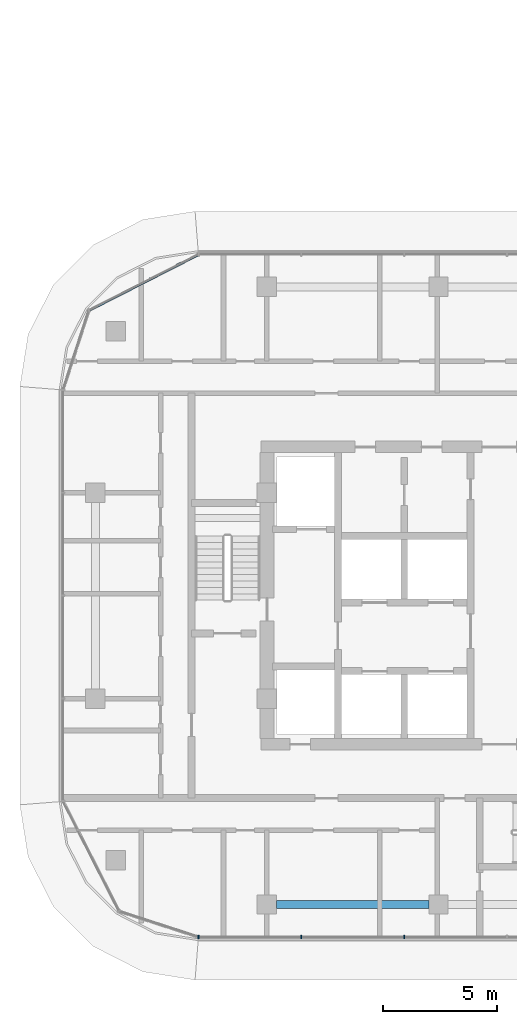
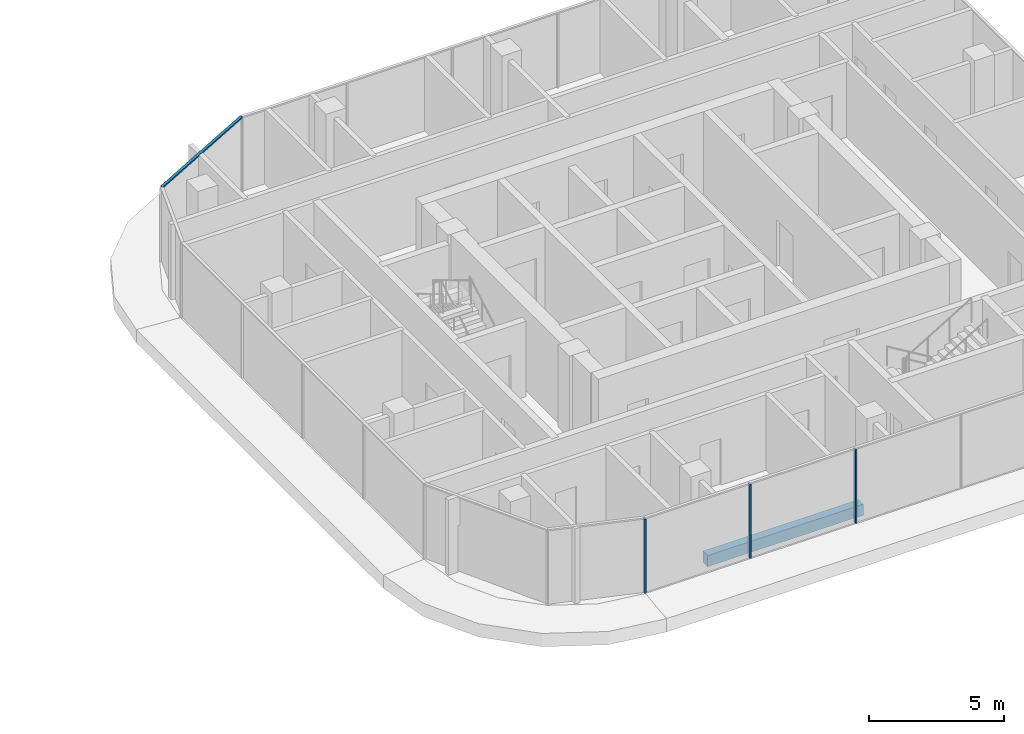
# One storey, part 10 of 36: 4 members, 1 beam, 2 elements without a shape of their own.
"""IFC4 building model written with IfcOpenShell, lengths in metres."""

import ifcopenshell
import ifcopenshell.guid

model = None  # the IFC model being written
_history = None  # IfcOwnerHistory: only IFC2X3 demands one
_inside = {}  # id of a spatial element -> (the spatial element, [elements in it])
_under = {}  # id of a project, library or spatial element -> (it, [spatial elements below it])
_declared = {}  # id of a project -> (the project, [libraries it declares])
_typed = {}  # id of a type object -> (the type object, [elements of that type])
_made_of = {}  # id of a material, layer set ... -> (it, [elements and type objects made of it])


def new_model(schema):
    """Start an empty IFC model of exactly this schema.

    Asked for "IFC4X3", IfcOpenShell would pick the latest addendum, in which some entities
    have other attributes; the version numbers below select the first issue.
    IFC2X3 requires an IfcOwnerHistory on every rooted entity: one is made here for all.
    """
    global model, _history
    if schema == "IFC4X3":
        model = ifcopenshell.file(schema_version=(4, 3, 0, 0))
    else:
        model = ifcopenshell.file(schema=schema)
    _inside.clear()
    _under.clear()
    _declared.clear()
    _typed.clear()
    _made_of.clear()
    _history = None
    if model.schema == "IFC2X3":
        org = make("IfcOrganization", Name="unknown")
        user = make(
            "IfcPersonAndOrganization",
            ThePerson=make("IfcPerson", FamilyName="unknown"),
            TheOrganization=org,
        )
        app = make(
            "IfcApplication",
            ApplicationDeveloper=org,
            Version="unknown",
            ApplicationFullName="unknown",
            ApplicationIdentifier="unknown",
        )
        _history = make(
            "IfcOwnerHistory",
            OwningUser=user,
            OwningApplication=app,
            ChangeAction="ADDED",
            CreationDate=0,
        )
    return model


def make(cls, **values):
    """One entity of the class cls with the attributes given. An attribute that is None is left unset."""
    return model.create_entity(
        cls, **{name: value for name, value in values.items() if value is not None}
    )


def rooted(cls, **values):
    """An entity with a GlobalId (a new one), such as an element, a storey or a relation."""
    return make(cls, GlobalId=ifcopenshell.guid.new(), OwnerHistory=_history, **values)


def si_unit(unit_type, name, prefix=None):
    """IfcSIUnit, for example si_unit("LENGTHUNIT", "METRE", prefix="MILLI")."""
    return make("IfcSIUnit", UnitType=unit_type, Prefix=prefix, Name=name)


def assignment(units):
    """IfcUnitAssignment: the units of a project."""
    return None if units is None else make("IfcUnitAssignment", Units=units)


def point(xyz):
    """IfcCartesianPoint."""
    return None if xyz is None else make("IfcCartesianPoint", Coordinates=xyz)


def direction(xyz):
    """IfcDirection."""
    return None if xyz is None else make("IfcDirection", DirectionRatios=xyz)


def frame(location, z_axis=None, x_axis=None):
    """IfcAxis2Placement3D, a coordinate frame: its origin and axes. An axis left out is left unset."""
    return make(
        "IfcAxis2Placement3D",
        Location=point(location),
        Axis=direction(z_axis),
        RefDirection=direction(x_axis),
    )


def frame_2d(location, x_axis=None):
    """IfcAxis2Placement2D, a coordinate frame in the plane: its origin and x axis."""
    return make(
        "IfcAxis2Placement2D", Location=point(location), RefDirection=direction(x_axis)
    )


def origin():
    """The frame at (0, 0, 0) with its axes left unset."""
    return frame((0.0, 0.0, 0.0))


def origin_2d():
    """The frame at (0, 0) in the plane with its x axis left unset."""
    return frame_2d((0.0, 0.0))


def place(relative_to, where):
    """IfcLocalPlacement: puts the frame where relative to a parent placement (None: the world)."""
    return make(
        "IfcLocalPlacement", PlacementRelTo=relative_to, RelativePlacement=where
    )


def context(
    kind, dimensions, precision=None, world=None, true_north=None, identifier=None
):
    """IfcGeometricRepresentationContext, for example the 3D "Model" context."""
    return make(
        "IfcGeometricRepresentationContext",
        ContextIdentifier=identifier,
        ContextType=kind,
        CoordinateSpaceDimension=dimensions,
        Precision=precision,
        WorldCoordinateSystem=world,
        TrueNorth=true_north,
    )


def subcontext(parent, identifier, kind, view, scale=None):
    """IfcGeometricRepresentationSubContext, for example "Body" below "Model"."""
    return make(
        "IfcGeometricRepresentationSubContext",
        ContextIdentifier=identifier,
        ContextType=kind,
        ParentContext=parent,
        TargetScale=scale,
        TargetView=view,
    )


def project(units=None, contexts=None):
    """IfcProject with its units and contexts."""
    return rooted(
        "IfcProject",
        Name="project",
        RepresentationContexts=contexts,
        UnitsInContext=assignment(units),
    )


def spatial(cls, under=None, at=None, **own):
    """A site, building, storey or space (cls), placed at a placement, below another one or the project."""
    s = rooted(cls, ObjectPlacement=at, **own)
    if under is not None:
        _under.setdefault(under.id(), (under, []))[1].append(s)
    return s


def profile(cls, at=None, kind="AREA", **sizes):
    """A parametric profile (cls). Its sizes go by their IFC names, for example OverallWidth=200.0."""
    return make(cls, ProfileType=kind, Position=at, **sizes)


def rectangle(**sizes):
    """IfcRectangleProfileDef."""
    return profile("IfcRectangleProfileDef", **sizes)


def extrude(swept, where, along, depth):
    """IfcExtrudedAreaSolid: the profile swept, set in the frame where, extruded along a direction by depth."""
    return make(
        "IfcExtrudedAreaSolid",
        SweptArea=swept,
        Position=where,
        ExtrudedDirection=direction(along),
        Depth=depth,
    )


def shape(context_of_items, identifier, shape_type, items):
    """IfcShapeRepresentation: the items that make up one representation, for example the "Body"."""
    return make(
        "IfcShapeRepresentation",
        ContextOfItems=context_of_items,
        RepresentationIdentifier=identifier,
        RepresentationType=shape_type,
        Items=items,
    )


def material(Name=None, Category=None):
    """IfcMaterial."""
    return make("IfcMaterial", Name=Name, Category=Category)


def material_profile(
    of_material, cross_section, Name=None, Category=None, Priority=None
):
    """IfcMaterialProfile: a cross section and its material."""
    return make(
        "IfcMaterialProfile",
        Name=Name,
        Material=of_material,
        Profile=cross_section,
        Priority=Priority,
        Category=Category,
    )


def profile_set(profiles, Name=None, composite=None):
    """IfcMaterialProfileSet."""
    return make(
        "IfcMaterialProfileSet",
        Name=Name,
        MaterialProfiles=profiles,
        CompositeProfile=composite,
    )


def made_of(thing, what):
    """Note that an element or type object is made of a material, layer set ...; save() writes the relation."""
    if what is not None:
        _made_of.setdefault(what.id(), (what, []))[1].append(thing)
    return thing


def type_object(cls, material=None, **own):
    """A type object (cls), such as IfcWallType, which elements share."""
    return made_of(rooted(cls, **own), material)


def element(
    cls,
    number,
    at=None,
    inside=None,
    cuts=None,
    type_object=None,
    material=None,
    context=None,
    identifier="Body",
    shape_type=None,
    held_by="IfcProductDefinitionShape",
    body=None,
    shapes=None,
    **own,
):
    """One element of the class cls, such as IfcWall. Its Tag is "e" and its number.

    at: its placement. inside: the storey or other place that contains it. cuts: it is an
    opening in that element (IfcRelVoidsElement). A single representation is given by context,
    identifier, shape_type and body (its items); several are given by shapes. held_by: the class
    of the entity that holds the representations. save() writes the other relations.
    """
    e = rooted(cls, Tag="e%d" % number, ObjectPlacement=at, **own)
    if body is not None:
        shapes = [shape(context, identifier, shape_type, body)]
    if shapes is not None:
        e.Representation = make(held_by, Representations=shapes)
    if inside is not None:
        _inside.setdefault(inside.id(), (inside, []))[1].append(e)
    if cuts is not None:
        rooted(
            "IfcRelVoidsElement", RelatingBuildingElement=cuts, RelatedOpeningElement=e
        )
    if type_object is not None:
        _typed.setdefault(type_object.id(), (type_object, []))[1].append(e)
    return made_of(e, material)


def aggregate(whole, parts):
    """IfcRelAggregates: a whole, such as a stair, and the parts it consists of."""
    return rooted("IfcRelAggregates", RelatingObject=whole, RelatedObjects=parts)


def save(model, path):
    """Write the relations noted so far, then the file.

    IfcRelAggregates (storeys below a building ...), IfcRelContainedInSpatialStructure (elements
    in a storey), IfcRelDefinesByType, IfcRelAssociatesMaterial and IfcRelDeclares: one each for
    every whole, place, type object, material and project.
    """
    for whole, parts in _under.values():
        aggregate(whole, parts)
    for where, things in _inside.values():
        rooted(
            "IfcRelContainedInSpatialStructure",
            RelatedElements=things,
            RelatingStructure=where,
        )
    for kind, things in _typed.values():
        rooted("IfcRelDefinesByType", RelatedObjects=things, RelatingType=kind)
    for what, things in _made_of.values():
        rooted("IfcRelAssociatesMaterial", RelatedObjects=things, RelatingMaterial=what)
    for by, libraries in _declared.values():
        rooted("IfcRelDeclares", RelatingContext=by, RelatedDefinitions=libraries)
    model.write(path)


model = new_model("IFC4")

# Units and contexts
model_context = context("Model", 3, precision=1e-05, world=origin(), true_north=direction((0.0, 1.0)))
body_context = subcontext(model_context, "Body", "Model", "MODEL_VIEW")
ifc_project = project(units=[si_unit("LENGTHUNIT", "METRE"), si_unit("AREAUNIT", "SQUARE_METRE"), si_unit("VOLUMEUNIT", "CUBIC_METRE"), si_unit("PLANEANGLEUNIT", "RADIAN"), si_unit("MASSUNIT", "GRAM", prefix="KILO")], contexts=[model_context])

# Site, building, storey
site_placement = place(None, origin())
site = spatial("IfcSite", under=ifc_project, at=site_placement, CompositionType="ELEMENT")
building_placement = place(site_placement, origin())
building = spatial("IfcBuilding", under=site, at=building_placement, Name="Ogive Portal Towers", CompositionType="ELEMENT")
storey_placement = place(building_placement, frame((0.0, 0.0, 70.5)))
storey = spatial("IfcBuildingStorey", under=building, at=storey_placement, Name="L16", CompositionType="ELEMENT", Elevation=70.5)

# Curtain wall, members
ifc_material_1 = material(Name="Glass, clear low-iron insulated glazing", Category="glass")
curtain_wall_type = type_object("IfcCurtainWallType", Name="CW RESIDENCES RIBBON", PredefinedType="NOTDEFINED", material=ifc_material_1)
curtain_wall_1_placement = place(storey_placement, origin())
curtain_wall_1 = element("IfcCurtainWall", 1, at=curtain_wall_1_placement, inside=storey, type_object=curtain_wall_type, Name="B:L16:f02:cw0", PredefinedType="NOTDEFINED")
ifc_material_2 = material(Name="Aluminium 6063 anodised", Category="aluminium")
ifc_material_profile_1 = material_profile(ifc_material_2, rectangle(XDim=0.159912109375, YDim=0.06005859375, at=origin_2d()), Name="AL 60x160")
ifc_profile_set_1 = profile_set([ifc_material_profile_1], Name="Aluminium 6063 anodised")
member_type_1 = type_object("IfcMemberType", Name="CW MULLION 60x160", PredefinedType="MULLION", material=ifc_profile_set_1)
member_1_placement = place(storey_placement, frame((126.0126953125, 16.080078125, 0.0), z_axis=(0.0, 0.0, 1.0), x_axis=(0.0, 1.0, 0.0)))
member_1 = element("IfcMember", 2, at=member_1_placement, type_object=member_type_1, Name="mullion", PredefinedType="MULLION", context=body_context, shape_type="SweptSolid", body=[
    extrude(rectangle(XDim=0.159912109375, YDim=0.06005859375, at=origin_2d()), origin(), (0.0, 0.0, 1.0), 3.340087890625),
])
member_2_placement = place(storey_placement, frame((130.5, 16.080078125, 0.0), z_axis=(0.0, 0.0, 1.0), x_axis=(0.0, 1.0, 0.0)))
member_2 = element("IfcMember", 3, at=member_2_placement, type_object=member_type_1, Name="mullion", PredefinedType="MULLION", context=body_context, shape_type="SweptSolid", body=[
    extrude(rectangle(XDim=0.159912109375, YDim=0.06005859375, at=origin_2d()), origin(), (0.0, 0.0, 1.0), 3.340087890625),
])
member_3_placement = place(storey_placement, frame((135.0, 16.080078125, 0.0), z_axis=(0.0, 0.0, 1.0), x_axis=(0.0, 1.0, 0.0)))
member_3 = element("IfcMember", 4, at=member_3_placement, type_object=member_type_1, Name="mullion", PredefinedType="MULLION", context=body_context, shape_type="SweptSolid", body=[
    extrude(rectangle(XDim=0.159912109375, YDim=0.06005859375, at=origin_2d()), origin(), (0.0, 0.0, 1.0), 3.340087890625),
])
aggregate(curtain_wall_1, [member_1, member_2, member_3])

# Curtain wall, member
curtain_wall_2_placement = place(storey_placement, origin())
curtain_wall_2 = element("IfcCurtainWall", 5, at=curtain_wall_2_placement, inside=storey, type_object=curtain_wall_type, Name="B:L16:f09:cwa", PredefinedType="NOTDEFINED")
ifc_material_profile_2 = material_profile(ifc_material_2, rectangle(XDim=0.1201171875, YDim=0.06005859375, at=origin_2d()), Name="AL 120x60")
ifc_profile_set_2 = profile_set([ifc_material_profile_2], Name="Aluminium 6063 anodised")
member_type_2 = type_object("IfcMemberType", Name="CW TRANSOM 60x120", PredefinedType="USERDEFINED", material=ifc_profile_set_2)
member_4_placement = place(storey_placement, frame((126.019287109375, 45.919921875, 3.3701171875), z_axis=(-0.891017050983, -0.453969839149, 0.0), x_axis=(0.453969839149, -0.891017050983, 0.0)))
member_4 = element("IfcMember", 6, at=member_4_placement, type_object=member_type_2, Name="transom", ObjectType="TRANSOM", PredefinedType="USERDEFINED", context=body_context, shape_type="SweptSolid", body=[
    extrude(rectangle(XDim=0.1201171875, YDim=0.06005859375, at=origin_2d()), origin(), (0.0, 0.0, 1.0), 5.395751953125),
])
aggregate(curtain_wall_2, [member_4])

# Beam
ifc_material_3 = material(Name="Concrete C50/60", Category="concrete")
ifc_material_profile_3 = material_profile(ifc_material_3, rectangle(XDim=0.35009765625, YDim=0.5, at=origin_2d()), Name="RC 350x500")
ifc_profile_set_3 = profile_set([ifc_material_profile_3], Name="Concrete C50/60")
beam_type = type_object("IfcBeamType", Name="SPANDREL BEAM RC 350x500", PredefinedType="BEAM", material=ifc_profile_set_3)
beam_placement = place(storey_placement, frame((129.425048828125, 17.5, -0.550048828125), z_axis=(1.0, 0.0, 0.0), x_axis=(0.0, 1.0, 0.0)))
element("IfcBeam", 7, at=beam_placement, inside=storey, type_object=beam_type, Name="Spandrel beam L16", PredefinedType="BEAM", context=body_context, shape_type="SweptSolid", body=[
    extrude(rectangle(XDim=0.35009765625, YDim=0.5, at=origin_2d()), origin(), (0.0, 0.0, 1.0), 6.64990234375),
])

save(model, "model.ifc")
